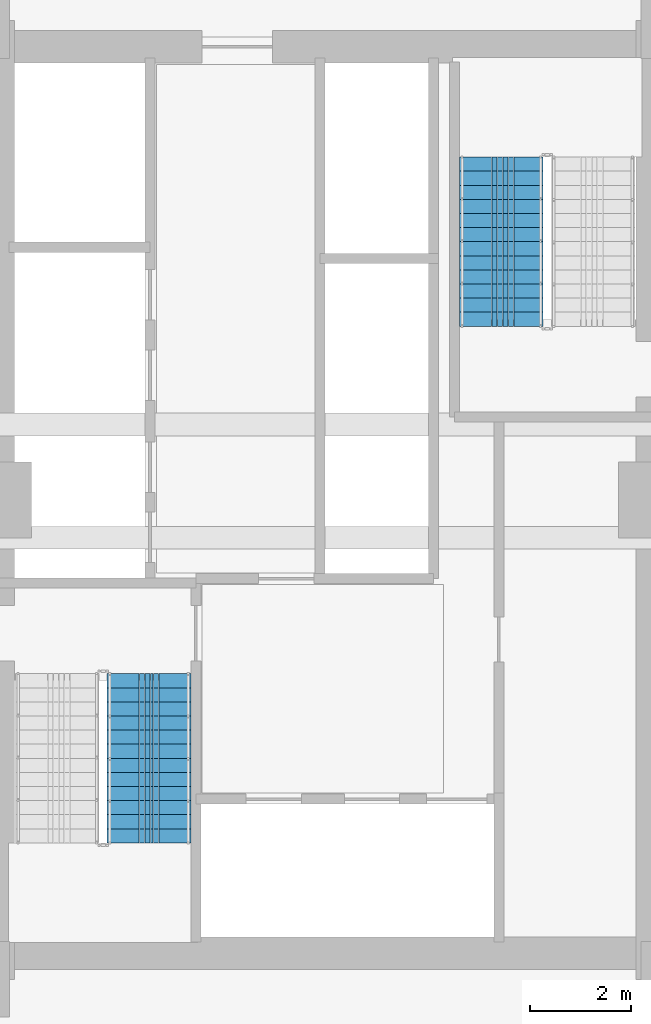
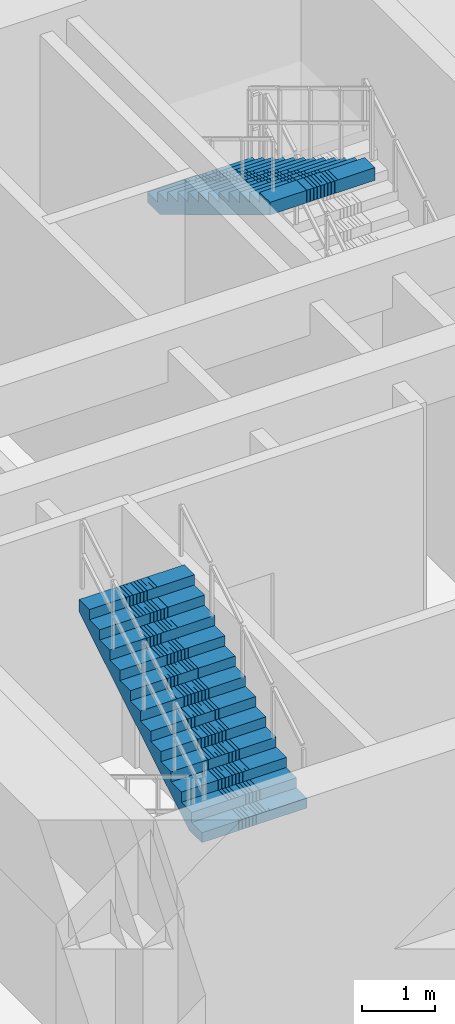
# One storey, part 22 of 28: 2 stair flights, 2 elements without a shape of their own.
"""IFC4 building model written with IfcOpenShell, lengths in metres."""

from ifc_helpers import new_model, si_unit, direction, frame, origin, place, context, subcontext, project, spatial, polyline, outline, extrude, material, type_object, element, aggregate, save


model = new_model("IFC4")

# Units and contexts
model_context = context("Model", 3, precision=1e-05, world=origin(), true_north=direction((0.0, 1.0)))
body_context = subcontext(model_context, "Body", "Model", "MODEL_VIEW")
ifc_project = project(units=[si_unit("LENGTHUNIT", "METRE"), si_unit("AREAUNIT", "SQUARE_METRE"), si_unit("VOLUMEUNIT", "CUBIC_METRE"), si_unit("PLANEANGLEUNIT", "RADIAN"), si_unit("MASSUNIT", "GRAM", prefix="KILO")], contexts=[model_context])

# Site, building, storey
site_placement = place(None, origin())
site = spatial("IfcSite", under=ifc_project, at=site_placement, CompositionType="ELEMENT")
building_placement = place(site_placement, origin())
building = spatial("IfcBuilding", under=site, at=building_placement, Name="Saelheon Loggia Tower", CompositionType="ELEMENT")
storey_placement = place(building_placement, frame((0.0, 0.0, 15.0)))
storey = spatial("IfcBuildingStorey", under=building, at=storey_placement, Name="L04", CompositionType="ELEMENT", Elevation=15.0)

# Stair, stair flight
ifc_material = material(Name="Concrete C40/50", Category="concrete")
stair_type = type_object("IfcStairType", Name="Stair_Escape_Core", PredefinedType="HALF_TURN_STAIR", material=ifc_material)
stair_1_placement = place(storey_placement, origin())
stair_1 = element("IfcStair", 1, at=stair_1_placement, inside=storey, type_object=stair_type, Name="L04 Special Escape Stair ST1", PredefinedType="HALF_TURN_STAIR")
stair_flight_type = type_object("IfcStairFlightType", Name="StairFlight_Tower_1660", PredefinedType="STRAIGHT", material=ifc_material)
stair_flight_1_placement = place(storey_placement, frame((34.5, 20.18994140625, 2.199951171875), z_axis=(0.0, 0.0, 1.0), x_axis=(0.0, 1.0, 0.0)))
stair_flight_1 = element("IfcStairFlight", 2, at=stair_flight_1_placement, type_object=stair_flight_type, Name="ST1 flight 2", NumberOfRisers=13, NumberOfTreads=12, PredefinedType="STRAIGHT", RiserHeight=0.169230769, TreadLength=0.28, context=body_context, shape_type="SweptSolid", body=[
    extrude(outline(polyline([(0.0, 0.0), (0.0, 0.169189453125), (0.280029296875, 0.169189453125), (0.280029296875, 0.33837890625), (0.56005859375, 0.33837890625), (0.56005859375, 0.5078125), (0.840087890625, 0.5078125), (0.840087890625, 0.677001953125), (1.1201171875, 0.677001953125), (1.1201171875, 0.84619140625), (1.39990234375, 0.84619140625), (1.39990234375, 1.015380859375), (1.679931640625, 1.015380859375), (1.679931640625, 1.1845703125), (1.9599609375, 1.1845703125), (1.9599609375, 1.353759765625), (2.239990234375, 1.353759765625), (2.239990234375, 1.523193359375), (2.52001953125, 1.523193359375), (2.52001953125, 1.6923828125), (2.800048828125, 1.6923828125), (2.800048828125, 1.861572265625), (3.080078125, 1.861572265625), (3.080078125, 2.03076171875), (3.360107421875, 2.03076171875), (3.360107421875, 2.199951171875), (3.360107421875, 1.820556640625), (0.347900390625, 0.0), (0.0, 0.0)])), frame((0.0, -0.2490234375, 0.0), z_axis=(0.0, -1.0, 0.0), x_axis=(1.0, 0.0, 0.0)), (0.0, 0.0, 1.0), 0.5810546875),
    extrude(outline(polyline([(0.0, 0.0), (0.0, 0.169189453125), (0.280029296875, 0.169189453125), (0.280029296875, 0.33837890625), (0.56005859375, 0.33837890625), (0.56005859375, 0.5078125), (0.840087890625, 0.5078125), (0.840087890625, 0.677001953125), (1.1201171875, 0.677001953125), (1.1201171875, 0.84619140625), (1.39990234375, 0.84619140625), (1.39990234375, 1.015380859375), (1.679931640625, 1.015380859375), (1.679931640625, 1.1845703125), (1.9599609375, 1.1845703125), (1.9599609375, 1.353759765625), (2.239990234375, 1.353759765625), (2.239990234375, 1.523193359375), (2.52001953125, 1.523193359375), (2.52001953125, 1.6923828125), (2.800048828125, 1.6923828125), (2.800048828125, 1.861572265625), (3.080078125, 1.861572265625), (3.080078125, 2.03076171875), (3.360107421875, 2.03076171875), (3.360107421875, 2.199951171875), (3.360107421875, 1.820556640625), (0.347900390625, 0.0), (0.0, 0.0)])), frame((0.0, -0.194091796875, 0.0), z_axis=(0.0, -1.0, 0.0), x_axis=(1.0, 0.0, 0.0)), (0.0, 0.0, 1.0), 0.0498046875),
    extrude(outline(polyline([(0.0, 0.0), (0.0, 0.169189453125), (0.280029296875, 0.169189453125), (0.280029296875, 0.33837890625), (0.56005859375, 0.33837890625), (0.56005859375, 0.5078125), (0.840087890625, 0.5078125), (0.840087890625, 0.677001953125), (1.1201171875, 0.677001953125), (1.1201171875, 0.84619140625), (1.39990234375, 0.84619140625), (1.39990234375, 1.015380859375), (1.679931640625, 1.015380859375), (1.679931640625, 1.1845703125), (1.9599609375, 1.1845703125), (1.9599609375, 1.353759765625), (2.239990234375, 1.353759765625), (2.239990234375, 1.523193359375), (2.52001953125, 1.523193359375), (2.52001953125, 1.6923828125), (2.800048828125, 1.6923828125), (2.800048828125, 1.861572265625), (3.080078125, 1.861572265625), (3.080078125, 2.03076171875), (3.360107421875, 2.03076171875), (3.360107421875, 2.199951171875), (3.360107421875, 1.820556640625), (0.347900390625, 0.0), (0.0, 0.0)])), frame((0.0, -0.139404296875, 0.0), z_axis=(0.0, -1.0, 0.0), x_axis=(1.0, 0.0, 0.0)), (0.0, 0.0, 1.0), 0.0498046875),
    extrude(outline(polyline([(0.0, 0.0), (0.0, 0.169189453125), (0.280029296875, 0.169189453125), (0.280029296875, 0.33837890625), (0.56005859375, 0.33837890625), (0.56005859375, 0.5078125), (0.840087890625, 0.5078125), (0.840087890625, 0.677001953125), (1.1201171875, 0.677001953125), (1.1201171875, 0.84619140625), (1.39990234375, 0.84619140625), (1.39990234375, 1.015380859375), (1.679931640625, 1.015380859375), (1.679931640625, 1.1845703125), (1.9599609375, 1.1845703125), (1.9599609375, 1.353759765625), (2.239990234375, 1.353759765625), (2.239990234375, 1.523193359375), (2.52001953125, 1.523193359375), (2.52001953125, 1.6923828125), (2.800048828125, 1.6923828125), (2.800048828125, 1.861572265625), (3.080078125, 1.861572265625), (3.080078125, 2.03076171875), (3.360107421875, 2.03076171875), (3.360107421875, 2.199951171875), (3.360107421875, 1.820556640625), (0.347900390625, 0.0), (0.0, 0.0)])), frame((0.0, -0.084716796875, 0.0), z_axis=(0.0, -1.0, 0.0), x_axis=(1.0, 0.0, 0.0)), (0.0, 0.0, 1.0), 0.0498046875),
    extrude(outline(polyline([(0.0, 0.0), (0.0, 0.169189453125), (0.280029296875, 0.169189453125), (0.280029296875, 0.33837890625), (0.56005859375, 0.33837890625), (0.56005859375, 0.5078125), (0.840087890625, 0.5078125), (0.840087890625, 0.677001953125), (1.1201171875, 0.677001953125), (1.1201171875, 0.84619140625), (1.39990234375, 0.84619140625), (1.39990234375, 1.015380859375), (1.679931640625, 1.015380859375), (1.679931640625, 1.1845703125), (1.9599609375, 1.1845703125), (1.9599609375, 1.353759765625), (2.239990234375, 1.353759765625), (2.239990234375, 1.523193359375), (2.52001953125, 1.523193359375), (2.52001953125, 1.6923828125), (2.800048828125, 1.6923828125), (2.800048828125, 1.861572265625), (3.080078125, 1.861572265625), (3.080078125, 2.03076171875), (3.360107421875, 2.03076171875), (3.360107421875, 2.199951171875), (3.360107421875, 1.820556640625), (0.347900390625, 0.0), (0.0, 0.0)])), frame((0.0, -0.02978515625, 0.0), z_axis=(0.0, -1.0, 0.0), x_axis=(1.0, 0.0, 0.0)), (0.0, 0.0, 1.0), 0.0498046875),
    extrude(outline(polyline([(0.0, 0.0), (0.0, 0.169189453125), (0.280029296875, 0.169189453125), (0.280029296875, 0.33837890625), (0.56005859375, 0.33837890625), (0.56005859375, 0.5078125), (0.840087890625, 0.5078125), (0.840087890625, 0.677001953125), (1.1201171875, 0.677001953125), (1.1201171875, 0.84619140625), (1.39990234375, 0.84619140625), (1.39990234375, 1.015380859375), (1.679931640625, 1.015380859375), (1.679931640625, 1.1845703125), (1.9599609375, 1.1845703125), (1.9599609375, 1.353759765625), (2.239990234375, 1.353759765625), (2.239990234375, 1.523193359375), (2.52001953125, 1.523193359375), (2.52001953125, 1.6923828125), (2.800048828125, 1.6923828125), (2.800048828125, 1.861572265625), (3.080078125, 1.861572265625), (3.080078125, 2.03076171875), (3.360107421875, 2.03076171875), (3.360107421875, 2.199951171875), (3.360107421875, 1.820556640625), (0.347900390625, 0.0), (0.0, 0.0)])), frame((0.0, 0.02490234375, 0.0), z_axis=(0.0, -1.0, 0.0), x_axis=(1.0, 0.0, 0.0)), (0.0, 0.0, 1.0), 0.0498046875),
    extrude(outline(polyline([(0.0, 0.0), (0.0, 0.169189453125), (0.280029296875, 0.169189453125), (0.280029296875, 0.33837890625), (0.56005859375, 0.33837890625), (0.56005859375, 0.5078125), (0.840087890625, 0.5078125), (0.840087890625, 0.677001953125), (1.1201171875, 0.677001953125), (1.1201171875, 0.84619140625), (1.39990234375, 0.84619140625), (1.39990234375, 1.015380859375), (1.679931640625, 1.015380859375), (1.679931640625, 1.1845703125), (1.9599609375, 1.1845703125), (1.9599609375, 1.353759765625), (2.239990234375, 1.353759765625), (2.239990234375, 1.523193359375), (2.52001953125, 1.523193359375), (2.52001953125, 1.6923828125), (2.800048828125, 1.6923828125), (2.800048828125, 1.861572265625), (3.080078125, 1.861572265625), (3.080078125, 2.03076171875), (3.360107421875, 2.03076171875), (3.360107421875, 2.199951171875), (3.360107421875, 1.820556640625), (0.347900390625, 0.0), (0.0, 0.0)])), frame((0.0, 0.07958984375, 0.0), z_axis=(0.0, -1.0, 0.0), x_axis=(1.0, 0.0, 0.0)), (0.0, 0.0, 1.0), 0.0498046875),
    extrude(outline(polyline([(0.0, 0.0), (0.0, 0.169189453125), (0.280029296875, 0.169189453125), (0.280029296875, 0.33837890625), (0.56005859375, 0.33837890625), (0.56005859375, 0.5078125), (0.840087890625, 0.5078125), (0.840087890625, 0.677001953125), (1.1201171875, 0.677001953125), (1.1201171875, 0.84619140625), (1.39990234375, 0.84619140625), (1.39990234375, 1.015380859375), (1.679931640625, 1.015380859375), (1.679931640625, 1.1845703125), (1.9599609375, 1.1845703125), (1.9599609375, 1.353759765625), (2.239990234375, 1.353759765625), (2.239990234375, 1.523193359375), (2.52001953125, 1.523193359375), (2.52001953125, 1.6923828125), (2.800048828125, 1.6923828125), (2.800048828125, 1.861572265625), (3.080078125, 1.861572265625), (3.080078125, 2.03076171875), (3.360107421875, 2.03076171875), (3.360107421875, 2.199951171875), (3.360107421875, 1.820556640625), (0.347900390625, 0.0), (0.0, 0.0)])), frame((0.0, 0.134521484375, 0.0), z_axis=(0.0, -1.0, 0.0), x_axis=(1.0, 0.0, 0.0)), (0.0, 0.0, 1.0), 0.0498046875),
    extrude(outline(polyline([(0.0, 0.0), (0.0, 0.169189453125), (0.280029296875, 0.169189453125), (0.280029296875, 0.33837890625), (0.56005859375, 0.33837890625), (0.56005859375, 0.5078125), (0.840087890625, 0.5078125), (0.840087890625, 0.677001953125), (1.1201171875, 0.677001953125), (1.1201171875, 0.84619140625), (1.39990234375, 0.84619140625), (1.39990234375, 1.015380859375), (1.679931640625, 1.015380859375), (1.679931640625, 1.1845703125), (1.9599609375, 1.1845703125), (1.9599609375, 1.353759765625), (2.239990234375, 1.353759765625), (2.239990234375, 1.523193359375), (2.52001953125, 1.523193359375), (2.52001953125, 1.6923828125), (2.800048828125, 1.6923828125), (2.800048828125, 1.861572265625), (3.080078125, 1.861572265625), (3.080078125, 2.03076171875), (3.360107421875, 2.03076171875), (3.360107421875, 2.199951171875), (3.360107421875, 1.820556640625), (0.347900390625, 0.0), (0.0, 0.0)])), frame((0.0, 0.189208984375, 0.0), z_axis=(0.0, -1.0, 0.0), x_axis=(1.0, 0.0, 0.0)), (0.0, 0.0, 1.0), 0.0498046875),
    extrude(outline(polyline([(0.0, 0.0), (0.0, 0.169189453125), (0.280029296875, 0.169189453125), (0.280029296875, 0.33837890625), (0.56005859375, 0.33837890625), (0.56005859375, 0.5078125), (0.840087890625, 0.5078125), (0.840087890625, 0.677001953125), (1.1201171875, 0.677001953125), (1.1201171875, 0.84619140625), (1.39990234375, 0.84619140625), (1.39990234375, 1.015380859375), (1.679931640625, 1.015380859375), (1.679931640625, 1.1845703125), (1.9599609375, 1.1845703125), (1.9599609375, 1.353759765625), (2.239990234375, 1.353759765625), (2.239990234375, 1.523193359375), (2.52001953125, 1.523193359375), (2.52001953125, 1.6923828125), (2.800048828125, 1.6923828125), (2.800048828125, 1.861572265625), (3.080078125, 1.861572265625), (3.080078125, 2.03076171875), (3.360107421875, 2.03076171875), (3.360107421875, 2.199951171875), (3.360107421875, 1.820556640625), (0.347900390625, 0.0), (0.0, 0.0)])), frame((0.0, 0.243896484375, 0.0), z_axis=(0.0, -1.0, 0.0), x_axis=(1.0, 0.0, 0.0)), (0.0, 0.0, 1.0), 0.0498046875),
    extrude(outline(polyline([(0.0, 0.0), (0.0, 0.169189453125), (0.280029296875, 0.169189453125), (0.280029296875, 0.33837890625), (0.56005859375, 0.33837890625), (0.56005859375, 0.5078125), (0.840087890625, 0.5078125), (0.840087890625, 0.677001953125), (1.1201171875, 0.677001953125), (1.1201171875, 0.84619140625), (1.39990234375, 0.84619140625), (1.39990234375, 1.015380859375), (1.679931640625, 1.015380859375), (1.679931640625, 1.1845703125), (1.9599609375, 1.1845703125), (1.9599609375, 1.353759765625), (2.239990234375, 1.353759765625), (2.239990234375, 1.523193359375), (2.52001953125, 1.523193359375), (2.52001953125, 1.6923828125), (2.800048828125, 1.6923828125), (2.800048828125, 1.861572265625), (3.080078125, 1.861572265625), (3.080078125, 2.03076171875), (3.360107421875, 2.03076171875), (3.360107421875, 2.199951171875), (3.360107421875, 1.820556640625), (0.347900390625, 0.0), (0.0, 0.0)])), frame((0.0, 0.830078125, 0.0), z_axis=(0.0, -1.0, 0.0), x_axis=(1.0, 0.0, 0.0)), (0.0, 0.0, 1.0), 0.5810546875),
])
aggregate(stair_1, [stair_flight_1])

stair_2_placement = place(storey_placement, origin())
stair_2 = element("IfcStair", 3, at=stair_2_placement, inside=storey, type_object=stair_type, Name="L04 Special Escape Stair ST2", PredefinedType="HALF_TURN_STAIR")
stair_flight_2_placement = place(storey_placement, frame((41.5, 33.81005859375, 2.199951171875), z_axis=(0.0, 0.0, 1.0), x_axis=(0.0, -1.0, 0.0)))
stair_flight_2 = element("IfcStairFlight", 4, at=stair_flight_2_placement, type_object=stair_flight_type, Name="ST2 flight 2", NumberOfRisers=13, NumberOfTreads=12, PredefinedType="STRAIGHT", RiserHeight=0.169230769, TreadLength=0.28, context=body_context, shape_type="SweptSolid", body=[
    extrude(outline(polyline([(0.0, 0.0), (0.0, 0.169189453125), (0.280029296875, 0.169189453125), (0.280029296875, 0.33837890625), (0.56005859375, 0.33837890625), (0.56005859375, 0.5078125), (0.840087890625, 0.5078125), (0.840087890625, 0.677001953125), (1.1201171875, 0.677001953125), (1.1201171875, 0.84619140625), (1.39990234375, 0.84619140625), (1.39990234375, 1.015380859375), (1.679931640625, 1.015380859375), (1.679931640625, 1.1845703125), (1.9599609375, 1.1845703125), (1.9599609375, 1.353759765625), (2.239990234375, 1.353759765625), (2.239990234375, 1.523193359375), (2.52001953125, 1.523193359375), (2.52001953125, 1.6923828125), (2.800048828125, 1.6923828125), (2.800048828125, 1.861572265625), (3.080078125, 1.861572265625), (3.080078125, 2.03076171875), (3.360107421875, 2.03076171875), (3.360107421875, 2.199951171875), (3.360107421875, 1.820556640625), (0.347900390625, 0.0), (0.0, 0.0)])), frame((0.0, -0.2490234375, 0.0), z_axis=(0.0, -1.0, 0.0), x_axis=(1.0, 0.0, 0.0)), (0.0, 0.0, 1.0), 0.5810546875),
    extrude(outline(polyline([(0.0, 0.0), (0.0, 0.169189453125), (0.280029296875, 0.169189453125), (0.280029296875, 0.33837890625), (0.56005859375, 0.33837890625), (0.56005859375, 0.5078125), (0.840087890625, 0.5078125), (0.840087890625, 0.677001953125), (1.1201171875, 0.677001953125), (1.1201171875, 0.84619140625), (1.39990234375, 0.84619140625), (1.39990234375, 1.015380859375), (1.679931640625, 1.015380859375), (1.679931640625, 1.1845703125), (1.9599609375, 1.1845703125), (1.9599609375, 1.353759765625), (2.239990234375, 1.353759765625), (2.239990234375, 1.523193359375), (2.52001953125, 1.523193359375), (2.52001953125, 1.6923828125), (2.800048828125, 1.6923828125), (2.800048828125, 1.861572265625), (3.080078125, 1.861572265625), (3.080078125, 2.03076171875), (3.360107421875, 2.03076171875), (3.360107421875, 2.199951171875), (3.360107421875, 1.820556640625), (0.347900390625, 0.0), (0.0, 0.0)])), frame((0.0, -0.194091796875, 0.0), z_axis=(0.0, -1.0, 0.0), x_axis=(1.0, 0.0, 0.0)), (0.0, 0.0, 1.0), 0.0498046875),
    extrude(outline(polyline([(0.0, 0.0), (0.0, 0.169189453125), (0.280029296875, 0.169189453125), (0.280029296875, 0.33837890625), (0.56005859375, 0.33837890625), (0.56005859375, 0.5078125), (0.840087890625, 0.5078125), (0.840087890625, 0.677001953125), (1.1201171875, 0.677001953125), (1.1201171875, 0.84619140625), (1.39990234375, 0.84619140625), (1.39990234375, 1.015380859375), (1.679931640625, 1.015380859375), (1.679931640625, 1.1845703125), (1.9599609375, 1.1845703125), (1.9599609375, 1.353759765625), (2.239990234375, 1.353759765625), (2.239990234375, 1.523193359375), (2.52001953125, 1.523193359375), (2.52001953125, 1.6923828125), (2.800048828125, 1.6923828125), (2.800048828125, 1.861572265625), (3.080078125, 1.861572265625), (3.080078125, 2.03076171875), (3.360107421875, 2.03076171875), (3.360107421875, 2.199951171875), (3.360107421875, 1.820556640625), (0.347900390625, 0.0), (0.0, 0.0)])), frame((0.0, -0.139404296875, 0.0), z_axis=(0.0, -1.0, 0.0), x_axis=(1.0, 0.0, 0.0)), (0.0, 0.0, 1.0), 0.0498046875),
    extrude(outline(polyline([(0.0, 0.0), (0.0, 0.169189453125), (0.280029296875, 0.169189453125), (0.280029296875, 0.33837890625), (0.56005859375, 0.33837890625), (0.56005859375, 0.5078125), (0.840087890625, 0.5078125), (0.840087890625, 0.677001953125), (1.1201171875, 0.677001953125), (1.1201171875, 0.84619140625), (1.39990234375, 0.84619140625), (1.39990234375, 1.015380859375), (1.679931640625, 1.015380859375), (1.679931640625, 1.1845703125), (1.9599609375, 1.1845703125), (1.9599609375, 1.353759765625), (2.239990234375, 1.353759765625), (2.239990234375, 1.523193359375), (2.52001953125, 1.523193359375), (2.52001953125, 1.6923828125), (2.800048828125, 1.6923828125), (2.800048828125, 1.861572265625), (3.080078125, 1.861572265625), (3.080078125, 2.03076171875), (3.360107421875, 2.03076171875), (3.360107421875, 2.199951171875), (3.360107421875, 1.820556640625), (0.347900390625, 0.0), (0.0, 0.0)])), frame((0.0, -0.084716796875, 0.0), z_axis=(0.0, -1.0, 0.0), x_axis=(1.0, 0.0, 0.0)), (0.0, 0.0, 1.0), 0.0498046875),
    extrude(outline(polyline([(0.0, 0.0), (0.0, 0.169189453125), (0.280029296875, 0.169189453125), (0.280029296875, 0.33837890625), (0.56005859375, 0.33837890625), (0.56005859375, 0.5078125), (0.840087890625, 0.5078125), (0.840087890625, 0.677001953125), (1.1201171875, 0.677001953125), (1.1201171875, 0.84619140625), (1.39990234375, 0.84619140625), (1.39990234375, 1.015380859375), (1.679931640625, 1.015380859375), (1.679931640625, 1.1845703125), (1.9599609375, 1.1845703125), (1.9599609375, 1.353759765625), (2.239990234375, 1.353759765625), (2.239990234375, 1.523193359375), (2.52001953125, 1.523193359375), (2.52001953125, 1.6923828125), (2.800048828125, 1.6923828125), (2.800048828125, 1.861572265625), (3.080078125, 1.861572265625), (3.080078125, 2.03076171875), (3.360107421875, 2.03076171875), (3.360107421875, 2.199951171875), (3.360107421875, 1.820556640625), (0.347900390625, 0.0), (0.0, 0.0)])), frame((0.0, -0.02978515625, 0.0), z_axis=(0.0, -1.0, 0.0), x_axis=(1.0, 0.0, 0.0)), (0.0, 0.0, 1.0), 0.0498046875),
    extrude(outline(polyline([(0.0, 0.0), (0.0, 0.169189453125), (0.280029296875, 0.169189453125), (0.280029296875, 0.33837890625), (0.56005859375, 0.33837890625), (0.56005859375, 0.5078125), (0.840087890625, 0.5078125), (0.840087890625, 0.677001953125), (1.1201171875, 0.677001953125), (1.1201171875, 0.84619140625), (1.39990234375, 0.84619140625), (1.39990234375, 1.015380859375), (1.679931640625, 1.015380859375), (1.679931640625, 1.1845703125), (1.9599609375, 1.1845703125), (1.9599609375, 1.353759765625), (2.239990234375, 1.353759765625), (2.239990234375, 1.523193359375), (2.52001953125, 1.523193359375), (2.52001953125, 1.6923828125), (2.800048828125, 1.6923828125), (2.800048828125, 1.861572265625), (3.080078125, 1.861572265625), (3.080078125, 2.03076171875), (3.360107421875, 2.03076171875), (3.360107421875, 2.199951171875), (3.360107421875, 1.820556640625), (0.347900390625, 0.0), (0.0, 0.0)])), frame((0.0, 0.02490234375, 0.0), z_axis=(0.0, -1.0, 0.0), x_axis=(1.0, 0.0, 0.0)), (0.0, 0.0, 1.0), 0.0498046875),
    extrude(outline(polyline([(0.0, 0.0), (0.0, 0.169189453125), (0.280029296875, 0.169189453125), (0.280029296875, 0.33837890625), (0.56005859375, 0.33837890625), (0.56005859375, 0.5078125), (0.840087890625, 0.5078125), (0.840087890625, 0.677001953125), (1.1201171875, 0.677001953125), (1.1201171875, 0.84619140625), (1.39990234375, 0.84619140625), (1.39990234375, 1.015380859375), (1.679931640625, 1.015380859375), (1.679931640625, 1.1845703125), (1.9599609375, 1.1845703125), (1.9599609375, 1.353759765625), (2.239990234375, 1.353759765625), (2.239990234375, 1.523193359375), (2.52001953125, 1.523193359375), (2.52001953125, 1.6923828125), (2.800048828125, 1.6923828125), (2.800048828125, 1.861572265625), (3.080078125, 1.861572265625), (3.080078125, 2.03076171875), (3.360107421875, 2.03076171875), (3.360107421875, 2.199951171875), (3.360107421875, 1.820556640625), (0.347900390625, 0.0), (0.0, 0.0)])), frame((0.0, 0.07958984375, 0.0), z_axis=(0.0, -1.0, 0.0), x_axis=(1.0, 0.0, 0.0)), (0.0, 0.0, 1.0), 0.0498046875),
    extrude(outline(polyline([(0.0, 0.0), (0.0, 0.169189453125), (0.280029296875, 0.169189453125), (0.280029296875, 0.33837890625), (0.56005859375, 0.33837890625), (0.56005859375, 0.5078125), (0.840087890625, 0.5078125), (0.840087890625, 0.677001953125), (1.1201171875, 0.677001953125), (1.1201171875, 0.84619140625), (1.39990234375, 0.84619140625), (1.39990234375, 1.015380859375), (1.679931640625, 1.015380859375), (1.679931640625, 1.1845703125), (1.9599609375, 1.1845703125), (1.9599609375, 1.353759765625), (2.239990234375, 1.353759765625), (2.239990234375, 1.523193359375), (2.52001953125, 1.523193359375), (2.52001953125, 1.6923828125), (2.800048828125, 1.6923828125), (2.800048828125, 1.861572265625), (3.080078125, 1.861572265625), (3.080078125, 2.03076171875), (3.360107421875, 2.03076171875), (3.360107421875, 2.199951171875), (3.360107421875, 1.820556640625), (0.347900390625, 0.0), (0.0, 0.0)])), frame((0.0, 0.134521484375, 0.0), z_axis=(0.0, -1.0, 0.0), x_axis=(1.0, 0.0, 0.0)), (0.0, 0.0, 1.0), 0.0498046875),
    extrude(outline(polyline([(0.0, 0.0), (0.0, 0.169189453125), (0.280029296875, 0.169189453125), (0.280029296875, 0.33837890625), (0.56005859375, 0.33837890625), (0.56005859375, 0.5078125), (0.840087890625, 0.5078125), (0.840087890625, 0.677001953125), (1.1201171875, 0.677001953125), (1.1201171875, 0.84619140625), (1.39990234375, 0.84619140625), (1.39990234375, 1.015380859375), (1.679931640625, 1.015380859375), (1.679931640625, 1.1845703125), (1.9599609375, 1.1845703125), (1.9599609375, 1.353759765625), (2.239990234375, 1.353759765625), (2.239990234375, 1.523193359375), (2.52001953125, 1.523193359375), (2.52001953125, 1.6923828125), (2.800048828125, 1.6923828125), (2.800048828125, 1.861572265625), (3.080078125, 1.861572265625), (3.080078125, 2.03076171875), (3.360107421875, 2.03076171875), (3.360107421875, 2.199951171875), (3.360107421875, 1.820556640625), (0.347900390625, 0.0), (0.0, 0.0)])), frame((0.0, 0.189208984375, 0.0), z_axis=(0.0, -1.0, 0.0), x_axis=(1.0, 0.0, 0.0)), (0.0, 0.0, 1.0), 0.0498046875),
    extrude(outline(polyline([(0.0, 0.0), (0.0, 0.169189453125), (0.280029296875, 0.169189453125), (0.280029296875, 0.33837890625), (0.56005859375, 0.33837890625), (0.56005859375, 0.5078125), (0.840087890625, 0.5078125), (0.840087890625, 0.677001953125), (1.1201171875, 0.677001953125), (1.1201171875, 0.84619140625), (1.39990234375, 0.84619140625), (1.39990234375, 1.015380859375), (1.679931640625, 1.015380859375), (1.679931640625, 1.1845703125), (1.9599609375, 1.1845703125), (1.9599609375, 1.353759765625), (2.239990234375, 1.353759765625), (2.239990234375, 1.523193359375), (2.52001953125, 1.523193359375), (2.52001953125, 1.6923828125), (2.800048828125, 1.6923828125), (2.800048828125, 1.861572265625), (3.080078125, 1.861572265625), (3.080078125, 2.03076171875), (3.360107421875, 2.03076171875), (3.360107421875, 2.199951171875), (3.360107421875, 1.820556640625), (0.347900390625, 0.0), (0.0, 0.0)])), frame((0.0, 0.243896484375, 0.0), z_axis=(0.0, -1.0, 0.0), x_axis=(1.0, 0.0, 0.0)), (0.0, 0.0, 1.0), 0.0498046875),
    extrude(outline(polyline([(0.0, 0.0), (0.0, 0.169189453125), (0.280029296875, 0.169189453125), (0.280029296875, 0.33837890625), (0.56005859375, 0.33837890625), (0.56005859375, 0.5078125), (0.840087890625, 0.5078125), (0.840087890625, 0.677001953125), (1.1201171875, 0.677001953125), (1.1201171875, 0.84619140625), (1.39990234375, 0.84619140625), (1.39990234375, 1.015380859375), (1.679931640625, 1.015380859375), (1.679931640625, 1.1845703125), (1.9599609375, 1.1845703125), (1.9599609375, 1.353759765625), (2.239990234375, 1.353759765625), (2.239990234375, 1.523193359375), (2.52001953125, 1.523193359375), (2.52001953125, 1.6923828125), (2.800048828125, 1.6923828125), (2.800048828125, 1.861572265625), (3.080078125, 1.861572265625), (3.080078125, 2.03076171875), (3.360107421875, 2.03076171875), (3.360107421875, 2.199951171875), (3.360107421875, 1.820556640625), (0.347900390625, 0.0), (0.0, 0.0)])), frame((0.0, 0.830078125, 0.0), z_axis=(0.0, -1.0, 0.0), x_axis=(1.0, 0.0, 0.0)), (0.0, 0.0, 1.0), 0.5810546875),
])
aggregate(stair_2, [stair_flight_2])

save(model, "model.ifc")
